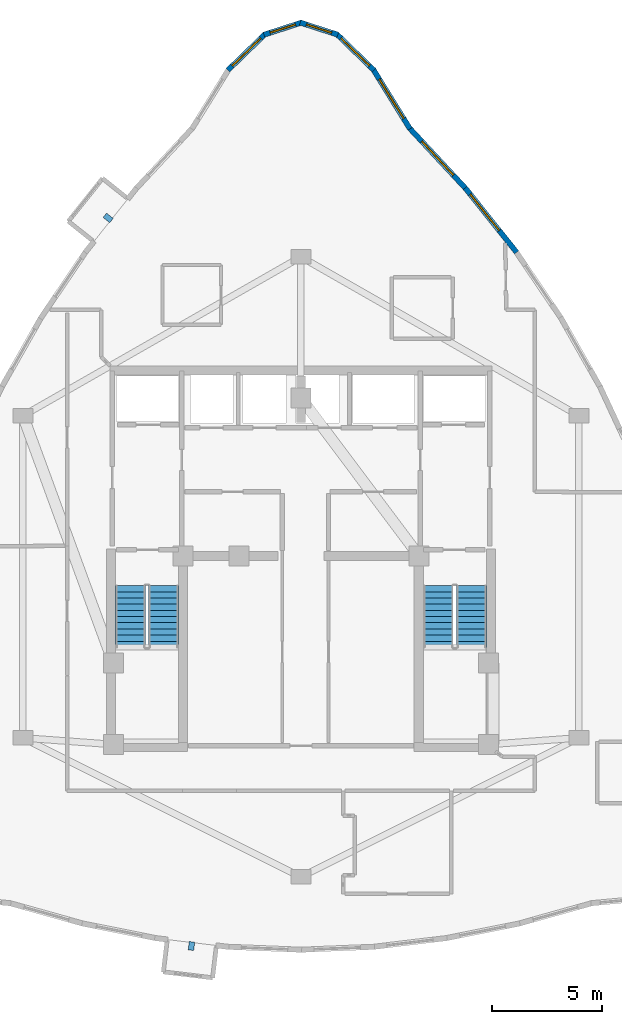
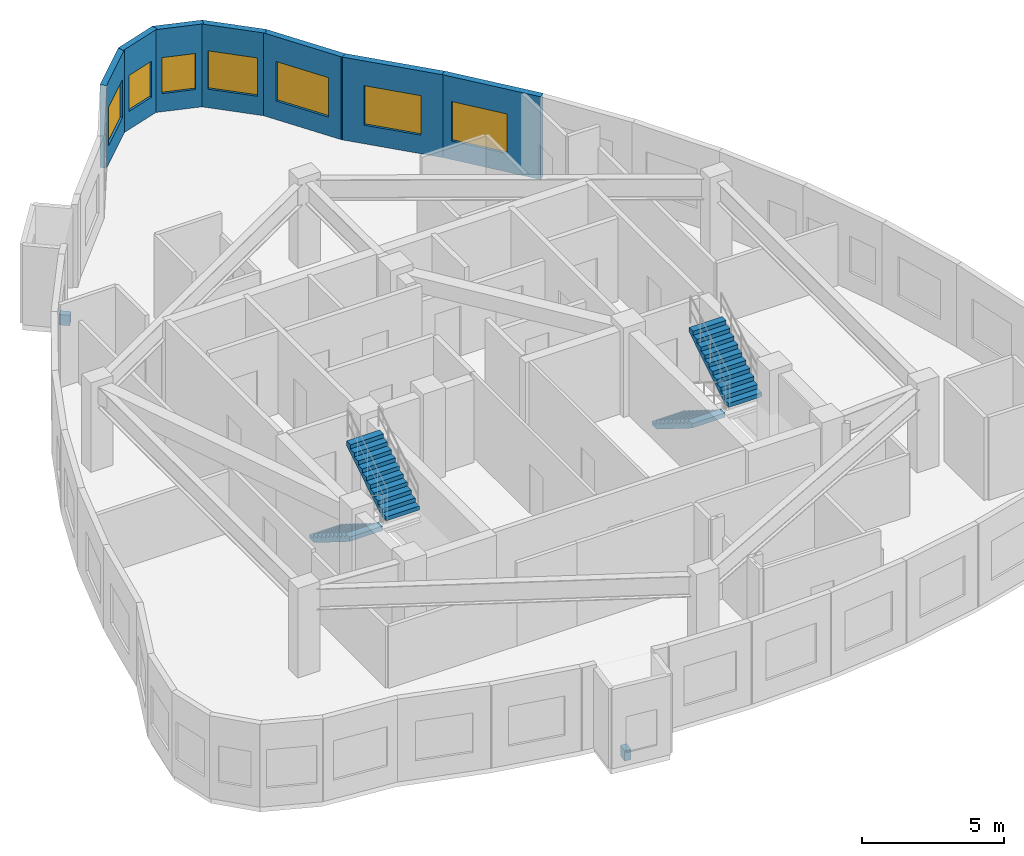
# One storey, part 8 of 9: 7 walls, 7 windows, 4 stair flights, 2 discrete accessories, 7 openings, 2 elements without a shape of their own.
"""IFC4 building model written with IfcOpenShell, lengths in metres."""

from ifc_helpers import new_model, si_unit, direction, frame, frame_2d, origin, origin_2d, place, context, subcontext, project, spatial, polyline, rectangle, outline, extrude, material, layer, layer_set, type_object, element, fill, aggregate, save


model = new_model("IFC4")

# Units and contexts
model_context = context("Model", 3, precision=1e-05, world=origin(), true_north=direction((0.0, 1.0)))
body_context = subcontext(model_context, "Body", "Model", "MODEL_VIEW")
ifc_project = project(units=[si_unit("LENGTHUNIT", "METRE"), si_unit("AREAUNIT", "SQUARE_METRE"), si_unit("VOLUMEUNIT", "CUBIC_METRE"), si_unit("PLANEANGLEUNIT", "RADIAN"), si_unit("MASSUNIT", "GRAM", prefix="KILO")], contexts=[model_context])

# Site, building, storey
site_placement = place(None, origin())
site = spatial("IfcSite", under=ifc_project, at=site_placement, CompositionType="ELEMENT")
building_placement = place(site_placement, origin())
building = spatial("IfcBuilding", under=site, at=building_placement, Name="Miruveldt Soraemaru", CompositionType="ELEMENT")
storey_placement = place(building_placement, frame((0.0, 0.0, 275.10009765625)))
storey = spatial("IfcBuildingStorey", under=building, at=storey_placement, Name="L75", CompositionType="ELEMENT", Elevation=275.10009765625)

# Wall, opening, window
ifc_material_1 = material(Name="Precast concrete C45/55 (45 MPa)", Category="concrete")
ifc_layer = layer(ifc_material_1, 0.239990234375, Name="Precast concrete C45/55 (45 MPa)", Category="concrete")
ifc_layer_set = layer_set([ifc_layer], Name="Precast concrete C45/55 (45 MPa)")
wall_type = type_object("IfcWallType", Name="WALL-EXT-PC240", PredefinedType="SOLIDWALL", material=ifc_layer_set)
wall_1_placement = place(storey_placement, frame((48.94580078125, 63.4033203125, 0.0), z_axis=(0.0, 0.0, 1.0), x_axis=(-0.526033358662, 0.850463935493, 0.0)))
wall_1 = element("IfcWall", 1, at=wall_1_placement, inside=storey, type_object=wall_type, Name="L75 Precast Concrete Facade Wall 1", PredefinedType="SOLIDWALL", context=body_context, shape_type="SweptSolid", body=[
    extrude(rectangle(XDim=3.192138671875, YDim=0.239990234375, at=frame_2d((1.59619140625, 0.0))), origin(), (0.0, 0.0, 1.0), 3.56494140625),
])
opening_1_placement = place(wall_1_placement, frame((0.5458984375, 0.0, 0.800048828125)))
opening_1 = element("IfcOpeningElement", 2, at=opening_1_placement, cuts=wall_1, Name="Opening WN-1", PredefinedType="OPENING", context=body_context, shape_type="SweptSolid", body=[
    extrude(rectangle(XDim=2.10009765625, YDim=1.699951171875, at=frame_2d((1.050048828125, 0.85009765625))), frame((0.0, 0.1298828125, 0.0), z_axis=(0.0, -1.0, 0.0), x_axis=(1.0, 0.0, 0.0)), (0.0, 0.0, 1.0), 0.260009765625),
])
ifc_material_2 = material(Name="Triple low-e insulated glazing", Category="glass")
window_type_1 = type_object("IfcWindowType", Name="WIN-PUNCH-2100x1700", PartitioningType="SINGLE_PANEL", PredefinedType="WINDOW", material=ifc_material_2)
window_1_placement = place(opening_1_placement, origin())
window_1 = element("IfcWindow", 3, at=window_1_placement, inside=storey, type_object=window_type_1, Name="L75 Punched Triple-Glazed Window 01.1", OverallHeight=1.699951171875, OverallWidth=2.10009765625, PartitioningType="SINGLE_PANEL", PredefinedType="WINDOW", context=body_context, shape_type="SweptSolid", body=[
    extrude(rectangle(XDim=2.10009765625, YDim=1.699951171875, at=frame_2d((1.050048828125, 0.85009765625))), frame((0.0, 0.030029296875, 0.0), z_axis=(0.0, -1.0, 0.0), x_axis=(1.0, 0.0, 0.0)), (0.0, 0.0, 1.0), 0.06005859375),
])
fill(opening_1, window_1)

wall_2_placement = place(storey_placement, frame((47.31005859375, 66.06396484375, 0.0), z_axis=(0.0, 0.0, 1.0), x_axis=(-0.717740456682, 0.696310732965, 0.0)))
wall_2 = element("IfcWall", 4, at=wall_2_placement, inside=storey, type_object=wall_type, Name="L75 Precast Concrete Facade Wall 2", PredefinedType="SOLIDWALL", context=body_context, shape_type="SweptSolid", body=[
    extrude(rectangle(XDim=2.358154296875, YDim=0.239990234375, at=frame_2d((1.17919921875, 0.0))), origin(), (0.0, 0.0, 1.0), 3.56494140625),
])
opening_2_placement = place(wall_2_placement, frame((0.279052734375, 0.0, 0.800048828125)))
opening_2 = element("IfcOpeningElement", 5, at=opening_2_placement, cuts=wall_2, Name="Opening WN-2", PredefinedType="OPENING", context=body_context, shape_type="SweptSolid", body=[
    extrude(rectangle(XDim=1.800048828125, YDim=1.64990234375, at=frame_2d((0.89990234375, 0.824951171875))), frame((0.0, 0.1298828125, 0.0), z_axis=(0.0, -1.0, 0.0), x_axis=(1.0, 0.0, 0.0)), (0.0, 0.0, 1.0), 0.260009765625),
])
window_type_2 = type_object("IfcWindowType", Name="WIN-PUNCH-1800x1650", PartitioningType="SINGLE_PANEL", PredefinedType="WINDOW", material=ifc_material_2)
window_2_placement = place(opening_2_placement, origin())
window_2 = element("IfcWindow", 6, at=window_2_placement, inside=storey, type_object=window_type_2, Name="L75 Punched Triple-Glazed Window 02.1", OverallHeight=1.64990234375, OverallWidth=1.800048828125, PartitioningType="SINGLE_PANEL", PredefinedType="WINDOW", context=body_context, shape_type="SweptSolid", body=[
    extrude(rectangle(XDim=1.800048828125, YDim=1.64990234375, at=frame_2d((0.89990234375, 0.824951171875))), frame((0.0, 0.030029296875, 0.0), z_axis=(0.0, -1.0, 0.0), x_axis=(1.0, 0.0, 0.0)), (0.0, 0.0, 1.0), 0.06005859375),
])
fill(opening_2, window_2)

wall_3_placement = place(storey_placement, frame((45.67578125, 67.6708984375, 0.0), z_axis=(0.0, 0.0, 1.0), x_axis=(-0.951512407348, 0.307610368261, 0.0)))
wall_3 = element("IfcWall", 7, at=wall_3_placement, inside=storey, type_object=wall_type, Name="L75 Precast Concrete Facade Wall 3", PredefinedType="SOLIDWALL", context=body_context, shape_type="SweptSolid", body=[
    extrude(rectangle(XDim=1.796142578125, YDim=0.239990234375, at=frame_2d((0.89794921875, 0.0))), origin(), (0.0, 0.0, 1.0), 3.56494140625),
])
opening_3_placement = place(wall_3_placement, frame((0.298095703125, 0.0, 0.780029296875)))
opening_3 = element("IfcOpeningElement", 8, at=opening_3_placement, cuts=wall_3, Name="Opening WN-4", PredefinedType="OPENING", context=body_context, shape_type="SweptSolid", body=[
    extrude(rectangle(XDim=1.199951171875, YDim=1.550048828125, at=frame_2d((0.60009765625, 0.77490234375))), frame((0.0, 0.1298828125, 0.0), z_axis=(0.0, -1.0, 0.0), x_axis=(1.0, 0.0, 0.0)), (0.0, 0.0, 1.0), 0.260009765625),
])
window_type_3 = type_object("IfcWindowType", Name="WIN-PUNCH-1200x1550", PartitioningType="SINGLE_PANEL", PredefinedType="WINDOW", material=ifc_material_2)
window_3_placement = place(opening_3_placement, origin())
window_3 = element("IfcWindow", 9, at=window_3_placement, inside=storey, type_object=window_type_3, Name="L75 Punched Triple-Glazed Window 03.1", OverallHeight=1.550048828125, OverallWidth=1.199951171875, PartitioningType="SINGLE_PANEL", PredefinedType="WINDOW", context=body_context, shape_type="SweptSolid", body=[
    extrude(rectangle(XDim=1.199951171875, YDim=1.550048828125, at=frame_2d((0.60009765625, 0.77490234375))), frame((0.0, 0.030029296875, 0.0), z_axis=(0.0, -1.0, 0.0), x_axis=(1.0, 0.0, 0.0)), (0.0, 0.0, 1.0), 0.06005859375),
])
fill(opening_3, window_3)

wall_4_placement = place(storey_placement, frame((44.033203125, 68.223388671875, 0.0), z_axis=(0.0, 0.0, 1.0), x_axis=(-0.951512407348, -0.307610368261, 0.0)))
wall_4 = element("IfcWall", 10, at=wall_4_placement, inside=storey, type_object=wall_type, Name="L75 Precast Concrete Facade Wall 4", PredefinedType="SOLIDWALL", context=body_context, shape_type="SweptSolid", body=[
    extrude(rectangle(XDim=1.796142578125, YDim=0.239990234375, at=frame_2d((0.89794921875, 0.0))), origin(), (0.0, 0.0, 1.0), 3.56494140625),
])
opening_4_placement = place(wall_4_placement, frame((0.298095703125, 0.0, 0.780029296875)))
opening_4 = element("IfcOpeningElement", 11, at=opening_4_placement, cuts=wall_4, Name="Opening WN-4", PredefinedType="OPENING", context=body_context, shape_type="SweptSolid", body=[
    extrude(rectangle(XDim=1.199951171875, YDim=1.550048828125, at=frame_2d((0.60009765625, 0.77490234375))), frame((0.0, 0.1298828125, 0.0), z_axis=(0.0, -1.0, 0.0), x_axis=(1.0, 0.0, 0.0)), (0.0, 0.0, 1.0), 0.260009765625),
])
window_4_placement = place(opening_4_placement, origin())
window_4 = element("IfcWindow", 12, at=window_4_placement, inside=storey, type_object=window_type_3, Name="L75 Punched Triple-Glazed Window 04.1", OverallHeight=1.550048828125, OverallWidth=1.199951171875, PartitioningType="SINGLE_PANEL", PredefinedType="WINDOW", context=body_context, shape_type="SweptSolid", body=[
    extrude(rectangle(XDim=1.199951171875, YDim=1.550048828125, at=frame_2d((0.60009765625, 0.77490234375))), frame((0.0, 0.030029296875, 0.0), z_axis=(0.0, -1.0, 0.0), x_axis=(1.0, 0.0, 0.0)), (0.0, 0.0, 1.0), 0.06005859375),
])
fill(opening_4, window_4)

wall_5_placement = place(storey_placement, frame((42.382568359375, 67.7060546875, 0.0), z_axis=(0.0, 0.0, 1.0), x_axis=(-0.717740456682, -0.696310732965, 0.0)))
wall_5 = element("IfcWall", 13, at=wall_5_placement, inside=storey, type_object=wall_type, Name="L75 Precast Concrete Facade Wall 5", PredefinedType="SOLIDWALL", context=body_context, shape_type="SweptSolid", body=[
    extrude(rectangle(XDim=2.358154296875, YDim=0.239990234375, at=frame_2d((1.17919921875, 0.0))), origin(), (0.0, 0.0, 1.0), 3.56494140625),
])
opening_5_placement = place(wall_5_placement, frame((0.279052734375, 0.0, 0.800048828125)))
opening_5 = element("IfcOpeningElement", 14, at=opening_5_placement, cuts=wall_5, Name="Opening WN-2", PredefinedType="OPENING", context=body_context, shape_type="SweptSolid", body=[
    extrude(rectangle(XDim=1.800048828125, YDim=1.64990234375, at=frame_2d((0.89990234375, 0.824951171875))), frame((0.0, 0.1298828125, 0.0), z_axis=(0.0, -1.0, 0.0), x_axis=(1.0, 0.0, 0.0)), (0.0, 0.0, 1.0), 0.260009765625),
])
window_5_placement = place(opening_5_placement, origin())
window_5 = element("IfcWindow", 15, at=window_5_placement, inside=storey, type_object=window_type_2, Name="L75 Punched Triple-Glazed Window 05.1", OverallHeight=1.64990234375, OverallWidth=1.800048828125, PartitioningType="SINGLE_PANEL", PredefinedType="WINDOW", context=body_context, shape_type="SweptSolid", body=[
    extrude(rectangle(XDim=1.800048828125, YDim=1.64990234375, at=frame_2d((0.89990234375, 0.824951171875))), frame((0.0, 0.030029296875, 0.0), z_axis=(0.0, -1.0, 0.0), x_axis=(1.0, 0.0, 0.0)), (0.0, 0.0, 1.0), 0.06005859375),
])
fill(opening_5, window_5)

wall_6_placement = place(storey_placement, frame((53.77880859375, 57.80419921875, 0.0), z_axis=(0.0, 0.0, 1.0), x_axis=(-0.623626898676, 0.781722131737, 0.0)))
wall_6 = element("IfcWall", 16, at=wall_6_placement, inside=storey, type_object=wall_type, Name="L75 Precast Concrete Facade Wall 41", PredefinedType="SOLIDWALL", context=body_context, shape_type="SweptSolid", body=[
    extrude(rectangle(XDim=3.737060546875, YDim=0.239990234375, at=frame_2d((1.86865234375, 0.0))), origin(), (0.0, 0.0, 1.0), 3.56494140625),
])
opening_6_placement = place(wall_6_placement, frame((1.26904296875, 0.0, 0.800048828125)))
opening_6 = element("IfcOpeningElement", 17, at=opening_6_placement, cuts=wall_6, Name="Opening WN-1", PredefinedType="OPENING", context=body_context, shape_type="SweptSolid", body=[
    extrude(rectangle(XDim=2.10009765625, YDim=1.699951171875, at=frame_2d((1.050048828125, 0.85009765625))), frame((0.0, 0.1298828125, 0.0), z_axis=(0.0, -1.0, 0.0), x_axis=(1.0, 0.0, 0.0)), (0.0, 0.0, 1.0), 0.260009765625),
])
window_6_placement = place(opening_6_placement, origin())
window_6 = element("IfcWindow", 18, at=window_6_placement, inside=storey, type_object=window_type_1, Name="L75 Punched Triple-Glazed Window 41.1", OverallHeight=1.699951171875, OverallWidth=2.10009765625, PartitioningType="SINGLE_PANEL", PredefinedType="WINDOW", context=body_context, shape_type="SweptSolid", body=[
    extrude(rectangle(XDim=2.10009765625, YDim=1.699951171875, at=frame_2d((1.050048828125, 0.85009765625))), frame((0.0, 0.030029296875, 0.0), z_axis=(0.0, -1.0, 0.0), x_axis=(1.0, 0.0, 0.0)), (0.0, 0.0, 1.0), 0.06005859375),
])
fill(opening_6, window_6)

wall_7_placement = place(storey_placement, frame((51.493896484375, 60.672607421875, 0.0), z_axis=(0.0, 0.0, 1.0), x_axis=(-0.680869467251, 0.732404784642, 0.0)))
wall_7 = element("IfcWall", 19, at=wall_7_placement, inside=storey, type_object=wall_type, Name="L75 Precast Concrete Facade Wall 42", PredefinedType="SOLIDWALL", context=body_context, shape_type="SweptSolid", body=[
    extrude(rectangle(XDim=3.80419921875, YDim=0.239990234375, at=frame_2d((1.902099609375, 0.0))), origin(), (0.0, 0.0, 1.0), 3.56494140625),
])
opening_7_placement = place(wall_7_placement, frame((0.85205078125, 0.0, 0.800048828125)))
opening_7 = element("IfcOpeningElement", 20, at=opening_7_placement, cuts=wall_7, Name="Opening WN-1", PredefinedType="OPENING", context=body_context, shape_type="SweptSolid", body=[
    extrude(rectangle(XDim=2.10009765625, YDim=1.699951171875, at=frame_2d((1.050048828125, 0.85009765625))), frame((0.0, 0.1298828125, 0.0), z_axis=(0.0, -1.0, 0.0), x_axis=(1.0, 0.0, 0.0)), (0.0, 0.0, 1.0), 0.260009765625),
])
window_7_placement = place(opening_7_placement, origin())
window_7 = element("IfcWindow", 21, at=window_7_placement, inside=storey, type_object=window_type_1, Name="L75 Punched Triple-Glazed Window 42.1", OverallHeight=1.699951171875, OverallWidth=2.10009765625, PartitioningType="SINGLE_PANEL", PredefinedType="WINDOW", context=body_context, shape_type="SweptSolid", body=[
    extrude(rectangle(XDim=2.10009765625, YDim=1.699951171875, at=frame_2d((1.050048828125, 0.85009765625))), frame((0.0, 0.030029296875, 0.0), z_axis=(0.0, -1.0, 0.0), x_axis=(1.0, 0.0, 0.0)), (0.0, 0.0, 1.0), 0.06005859375),
])
fill(opening_7, window_7)

# Stair, stair flights
ifc_material_3 = material(Name="Concrete C40/50 (40 MPa)", Category="concrete")
stair_type = type_object("IfcStairType", Name="STAIR-DL-385", PredefinedType="HALF_TURN_STAIR", material=ifc_material_3)
stair_1_placement = place(storey_placement, origin())
stair_1 = element("IfcStair", 22, at=stair_1_placement, inside=storey, type_object=stair_type, Name="L75 Protected Exit Stair ST-1", PredefinedType="HALF_TURN_STAIR")
stair_flight_type = type_object("IfcStairFlightType", Name="SFL-DL-385", PredefinedType="STRAIGHT", material=ifc_material_3)
stair_flight_1_placement = place(storey_placement, frame((36.27490234375, 42.699951171875, 0.0), z_axis=(0.0, 0.0, 1.0), x_axis=(0.0, -1.0, 0.0)))
stair_flight_1 = element("IfcStairFlight", 23, at=stair_flight_1_placement, type_object=stair_flight_type, Name="ST-1 flight 1", NumberOfRisers=11, NumberOfTreads=10, PredefinedType="STRAIGHT", RiserHeight=0.175, TreadLength=0.28, context=body_context, shape_type="SweptSolid", body=[
    extrude(outline(polyline([(0.0, 0.0), (0.0, 0.175048828125), (0.280029296875, 0.175048828125), (0.280029296875, 0.35009765625), (0.56005859375, 0.35009765625), (0.56005859375, 0.52490234375), (0.840087890625, 0.52490234375), (0.840087890625, 0.699951171875), (1.1201171875, 0.699951171875), (1.1201171875, 0.875), (1.39990234375, 0.875), (1.39990234375, 1.050048828125), (1.679931640625, 1.050048828125), (1.679931640625, 1.22509765625), (1.9599609375, 1.22509765625), (1.9599609375, 1.39990234375), (2.239990234375, 1.39990234375), (2.239990234375, 1.574951171875), (2.52001953125, 1.574951171875), (2.52001953125, 1.75), (2.800048828125, 1.75), (2.800048828125, 1.925048828125), (2.800048828125, 1.5615234375), (0.3017578125, 0.0), (0.0, 0.0)])), frame((0.0, 0.675048828125, 0.0), z_axis=(0.0, -1.0, 0.0), x_axis=(1.0, 0.0, 0.0)), (0.0, 0.0, 1.0), 1.35009765625),
])
stair_flight_2_placement = place(storey_placement, frame((37.77490234375, 39.89990234375, 1.9248046875), z_axis=(0.0, 0.0, 1.0), x_axis=(0.0, 1.0, 0.0)))
stair_flight_2 = element("IfcStairFlight", 24, at=stair_flight_2_placement, type_object=stair_flight_type, Name="ST-1 flight 2", NumberOfRisers=11, NumberOfTreads=10, PredefinedType="STRAIGHT", RiserHeight=0.175, TreadLength=0.28, context=body_context, shape_type="SweptSolid", body=[
    extrude(outline(polyline([(0.0, 0.0), (0.0, 0.175048828125), (0.280029296875, 0.175048828125), (0.280029296875, 0.35009765625), (0.56005859375, 0.35009765625), (0.56005859375, 0.52490234375), (0.840087890625, 0.52490234375), (0.840087890625, 0.699951171875), (1.1201171875, 0.699951171875), (1.1201171875, 0.875), (1.39990234375, 0.875), (1.39990234375, 1.050048828125), (1.679931640625, 1.050048828125), (1.679931640625, 1.22509765625), (1.9599609375, 1.22509765625), (1.9599609375, 1.39990234375), (2.239990234375, 1.39990234375), (2.239990234375, 1.574951171875), (2.52001953125, 1.574951171875), (2.52001953125, 1.75), (2.800048828125, 1.75), (2.800048828125, 1.925048828125), (2.800048828125, 1.5615234375), (0.3017578125, 0.0), (0.0, 0.0)])), frame((0.0, 0.675048828125, 0.0), z_axis=(0.0, -1.0, 0.0), x_axis=(1.0, 0.0, 0.0)), (0.0, 0.0, 1.0), 1.35009765625),
])
aggregate(stair_1, [stair_flight_1, stair_flight_2])

stair_2_placement = place(storey_placement, origin())
stair_2 = element("IfcStair", 25, at=stair_2_placement, inside=storey, type_object=stair_type, Name="L75 Protected Exit Stair ST-2", PredefinedType="HALF_TURN_STAIR")
stair_flight_3_placement = place(storey_placement, frame((50.22509765625, 42.699951171875, 0.0), z_axis=(0.0, 0.0, 1.0), x_axis=(0.0, -1.0, 0.0)))
stair_flight_3 = element("IfcStairFlight", 26, at=stair_flight_3_placement, type_object=stair_flight_type, Name="ST-2 flight 1", NumberOfRisers=11, NumberOfTreads=10, PredefinedType="STRAIGHT", RiserHeight=0.175, TreadLength=0.28, context=body_context, shape_type="SweptSolid", body=[
    extrude(outline(polyline([(0.0, 0.0), (0.0, 0.175048828125), (0.280029296875, 0.175048828125), (0.280029296875, 0.35009765625), (0.56005859375, 0.35009765625), (0.56005859375, 0.52490234375), (0.840087890625, 0.52490234375), (0.840087890625, 0.699951171875), (1.1201171875, 0.699951171875), (1.1201171875, 0.875), (1.39990234375, 0.875), (1.39990234375, 1.050048828125), (1.679931640625, 1.050048828125), (1.679931640625, 1.22509765625), (1.9599609375, 1.22509765625), (1.9599609375, 1.39990234375), (2.239990234375, 1.39990234375), (2.239990234375, 1.574951171875), (2.52001953125, 1.574951171875), (2.52001953125, 1.75), (2.800048828125, 1.75), (2.800048828125, 1.925048828125), (2.800048828125, 1.5615234375), (0.3017578125, 0.0), (0.0, 0.0)])), frame((0.0, 0.675048828125, 0.0), z_axis=(0.0, -1.0, 0.0), x_axis=(1.0, 0.0, 0.0)), (0.0, 0.0, 1.0), 1.35009765625),
])
stair_flight_4_placement = place(storey_placement, frame((51.72509765625, 39.89990234375, 1.9248046875), z_axis=(0.0, 0.0, 1.0), x_axis=(0.0, 1.0, 0.0)))
stair_flight_4 = element("IfcStairFlight", 27, at=stair_flight_4_placement, type_object=stair_flight_type, Name="ST-2 flight 2", NumberOfRisers=11, NumberOfTreads=10, PredefinedType="STRAIGHT", RiserHeight=0.175, TreadLength=0.28, context=body_context, shape_type="SweptSolid", body=[
    extrude(outline(polyline([(0.0, 0.0), (0.0, 0.175048828125), (0.280029296875, 0.175048828125), (0.280029296875, 0.35009765625), (0.56005859375, 0.35009765625), (0.56005859375, 0.52490234375), (0.840087890625, 0.52490234375), (0.840087890625, 0.699951171875), (1.1201171875, 0.699951171875), (1.1201171875, 0.875), (1.39990234375, 0.875), (1.39990234375, 1.050048828125), (1.679931640625, 1.050048828125), (1.679931640625, 1.22509765625), (1.9599609375, 1.22509765625), (1.9599609375, 1.39990234375), (2.239990234375, 1.39990234375), (2.239990234375, 1.574951171875), (2.52001953125, 1.574951171875), (2.52001953125, 1.75), (2.800048828125, 1.75), (2.800048828125, 1.925048828125), (2.800048828125, 1.5615234375), (0.3017578125, 0.0), (0.0, 0.0)])), frame((0.0, 0.675048828125, 0.0), z_axis=(0.0, -1.0, 0.0), x_axis=(1.0, 0.0, 0.0)), (0.0, 0.0, 1.0), 1.35009765625),
])
aggregate(stair_2, [stair_flight_3, stair_flight_4])

# Discrete accessories
ifc_material_4 = material(Name="Steel SM355 (355 MPa)", Category="steel")
discrete_accessory_type = type_object("IfcDiscreteAccessoryType", Name="ACC-BAY-BRK", PredefinedType="BRACKET", material=ifc_material_4)
for number, where, z_axis, x_axis, name in (
    (28, (39.037841796875, 26.365478515625, -0.72998046875), (0.0, 0.0, 1.0), (-0.119131818163, -0.99287844669, 0.0), "L75 Bay Window Cantilever Bracket 1"),
    (29, (35.261474609375, 59.36474609375, -0.72998046875), (0.0, 0.0, 1.0), (-0.781738199863, 0.623606756598, 0.0), "L75 Bay Window Cantilever Bracket 2"),
):
    element("IfcDiscreteAccessory", number, at=place(storey_placement, frame(where, z_axis=z_axis, x_axis=x_axis)), inside=storey, type_object=discrete_accessory_type, Name=name, PredefinedType="BRACKET", context=body_context, shape_type="SweptSolid", body=[
        extrude(rectangle(XDim=0.3798828125, YDim=0.25, at=origin_2d()), origin(), (0.0, 0.0, 1.0), 0.449951171875),
    ])

save(model, "model.ifc")
